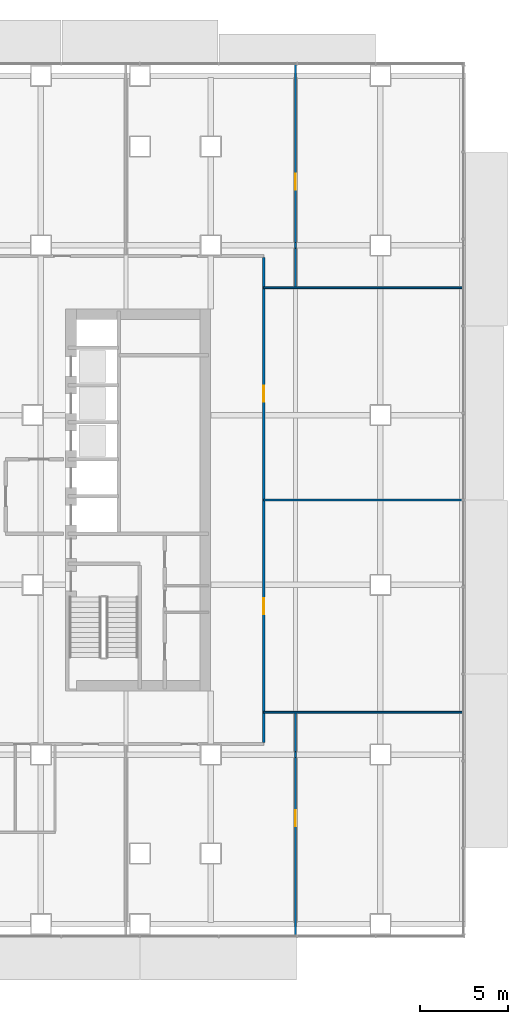
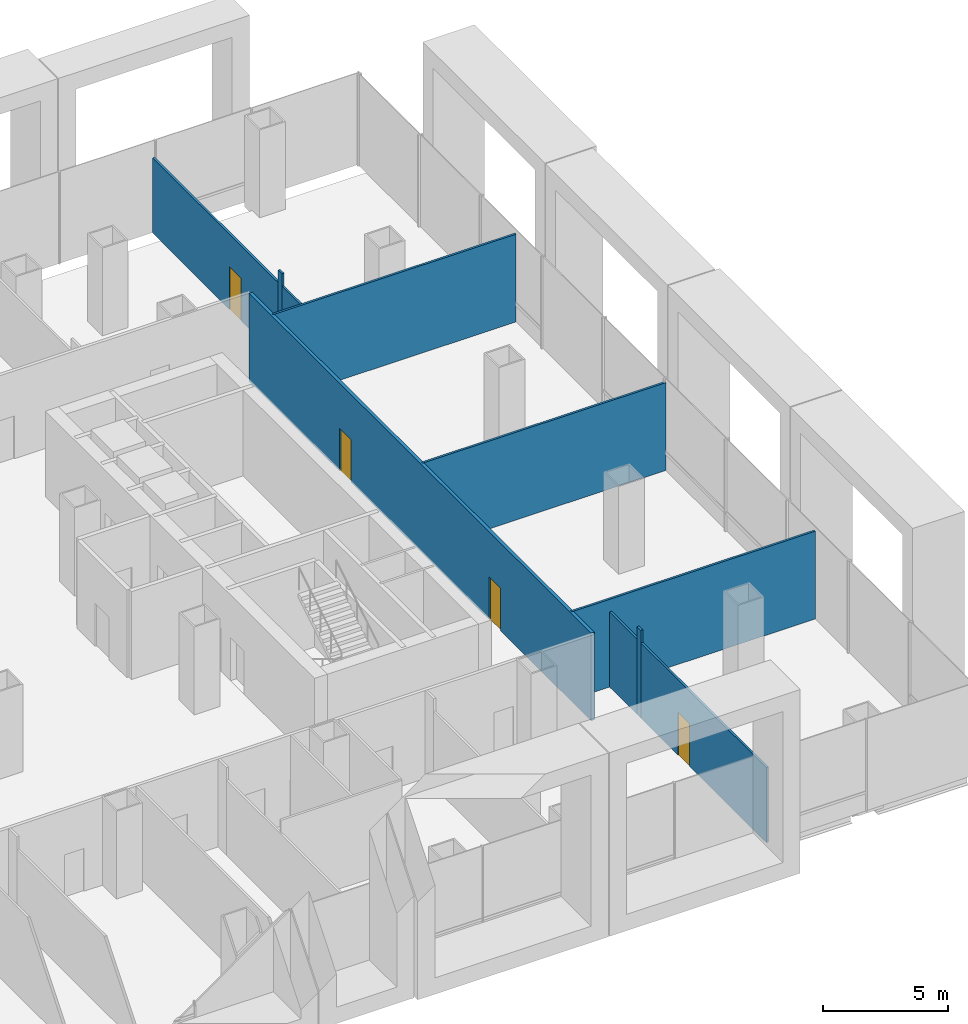
# One storey, part 18 of 23: 10 walls, 4 doors, 4 openings.
"""IFC4 building model written with IfcOpenShell, lengths in metres."""

from ifc_helpers import new_model, si_unit, direction, frame, frame_2d, origin, place, context, subcontext, project, spatial, rectangle, extrude, material, layer, layer_set, type_object, element, fill, save


model = new_model("IFC4")

# Units and contexts
model_context = context("Model", 3, precision=1e-05, world=origin(), true_north=direction((0.0, 1.0)))
body_context = subcontext(model_context, "Body", "Model", "MODEL_VIEW")
ifc_project = project(units=[si_unit("LENGTHUNIT", "METRE"), si_unit("AREAUNIT", "SQUARE_METRE"), si_unit("VOLUMEUNIT", "CUBIC_METRE"), si_unit("PLANEANGLEUNIT", "RADIAN"), si_unit("MASSUNIT", "GRAM", prefix="KILO")], contexts=[model_context])

# Site, building, storey
site_placement = place(None, origin())
site = spatial("IfcSite", under=ifc_project, at=site_placement, CompositionType="ELEMENT")
building_placement = place(site_placement, origin())
building = spatial("IfcBuilding", under=site, at=building_placement, Name="Cobrizo Arcos Hotel Tower", CompositionType="ELEMENT")
storey_placement = place(building_placement, frame((0.0, 0.0, 24.5)))
storey = spatial("IfcBuildingStorey", under=building, at=storey_placement, Name="L04", CompositionType="ELEMENT", Elevation=24.5)

# Wall, openings, doors
ifc_material_1 = material(Name="Gypsum board partition")
ifc_layer_1 = layer(ifc_material_1, 0.14990234375)
ifc_layer_set_1 = layer_set([ifc_layer_1], Name="Corridor wall EI 60 150")
wall_type_1 = type_object("IfcWallType", Name="Corridor wall EI 60 150", PredefinedType="PARTITIONING", material=ifc_layer_set_1)
wall_1_placement = place(storey_placement, frame((27.0, -13.72509765625, 0.0), z_axis=(0.0, 0.0, 1.0), x_axis=(0.0, 1.0, 0.0)))
wall_1 = element("IfcWall", 1, at=wall_1_placement, inside=storey, type_object=wall_type_1, Name="Partition 072", PredefinedType="PARTITIONING", context=body_context, shape_type="SweptSolid", body=[
    extrude(rectangle(XDim=27.4501953125, YDim=0.14990234375, at=frame_2d((13.72509765625, 0.0))), origin(), (0.0, 0.0, 1.0), 4.300048828125),
])
opening_1_placement = place(wall_1_placement, frame((7.27490234375, 0.0, 0.0)))
opening_1 = element("IfcOpeningElement", 2, at=opening_1_placement, cuts=wall_1, Name="Opening RD-19", PredefinedType="OPENING", context=body_context, shape_type="SweptSolid", body=[
    extrude(rectangle(XDim=0.89990234375, YDim=2.10009765625, at=frame_2d((0.449951171875, 1.050048828125))), frame((0.0, 0.0869140625, 0.0), z_axis=(0.0, -1.0, 0.0), x_axis=(1.0, 0.0, 0.0)), (0.0, 0.0, 1.0), 0.173828125),
])
opening_2_placement = place(wall_1_placement, frame((19.27490234375, 0.0, 0.0)))
opening_2 = element("IfcOpeningElement", 3, at=opening_2_placement, cuts=wall_1, Name="Opening RD-20", PredefinedType="OPENING", context=body_context, shape_type="SweptSolid", body=[
    extrude(rectangle(XDim=0.89990234375, YDim=2.10009765625, at=frame_2d((0.449951171875, 1.050048828125))), frame((0.0, 0.0869140625, 0.0), z_axis=(0.0, -1.0, 0.0), x_axis=(1.0, 0.0, 0.0)), (0.0, 0.0, 1.0), 0.173828125),
])
ifc_material_2 = material(Name="Timber door leaf", Category="wood")
door_type = type_object("IfcDoorType", Name="Room door FD30 900x2100", OperationType="SINGLE_SWING_LEFT", PredefinedType="DOOR", material=ifc_material_2)
door_1_placement = place(opening_1_placement, origin())
door_1 = element("IfcDoor", 4, at=door_1_placement, inside=storey, type_object=door_type, Name="Door RD-19", OperationType="SINGLE_SWING_LEFT", OverallHeight=2.10009765625, OverallWidth=0.89990234375, PredefinedType="DOOR", context=body_context, shape_type="SweptSolid", body=[
    extrude(rectangle(XDim=0.89990234375, YDim=2.10009765625, at=frame_2d((0.449951171875, 1.050048828125))), frame((0.0, 0.02490234375, 0.0), z_axis=(0.0, -1.0, 0.0), x_axis=(1.0, 0.0, 0.0)), (0.0, 0.0, 1.0), 0.050048828125),
])
fill(opening_1, door_1)
door_2_placement = place(opening_2_placement, origin())
door_2 = element("IfcDoor", 5, at=door_2_placement, inside=storey, type_object=door_type, Name="Door RD-20", OperationType="SINGLE_SWING_RIGHT", OverallHeight=2.10009765625, OverallWidth=0.89990234375, PredefinedType="DOOR", context=body_context, shape_type="SweptSolid", body=[
    extrude(rectangle(XDim=0.89990234375, YDim=2.10009765625, at=frame_2d((0.449951171875, 1.050048828125))), frame((0.0, 0.02490234375, 0.0), z_axis=(0.0, -1.0, 0.0), x_axis=(1.0, 0.0, 0.0)), (0.0, 0.0, 1.0), 0.050048828125),
])
fill(opening_2, door_2)

# Walls
ifc_layer_2 = layer(ifc_material_1, 0.10009765625)
ifc_layer_set_2 = layer_set([ifc_layer_2], Name="Partition EI 30 100")
wall_type_2 = type_object("IfcWallType", Name="Partition EI 30 100", PredefinedType="PARTITIONING", material=ifc_layer_set_2)
for number, where, z_axis, x_axis, name in (
    (6, (27.0, -12.0, 0.0), (0.0, 0.0, 1.0), (1.0, 0.0, 0.0), "Partition 004"),
    (7, (27.0, 0.0, 0.0), (0.0, 0.0, 1.0), (1.0, 0.0, 0.0), "Partition 016"),
    (8, (27.0, 12.0, 0.0), (0.0, 0.0, 1.0), (1.0, 0.0, 0.0), "Partition 032"),
):
    element("IfcWall", number, at=place(storey_placement, frame(where, z_axis=z_axis, x_axis=x_axis)), inside=storey, type_object=wall_type_2, Name=name, PredefinedType="PARTITIONING", context=body_context, shape_type="SweptSolid", body=[
        extrude(rectangle(XDim=11.280029296875, YDim=0.10009765625, at=frame_2d((5.64013671875, 0.0))), origin(), (0.0, 0.0, 1.0), 4.300048828125),
    ])

# Wall, opening, door
wall_2_placement = place(storey_placement, frame((28.800048828125, -24.6298828125, 0.0), z_axis=(0.0, 0.0, 1.0), x_axis=(0.0, 1.0, 0.0)))
wall_2 = element("IfcWall", 9, at=wall_2_placement, inside=storey, type_object=wall_type_2, Name="Partition 073", PredefinedType="PARTITIONING", context=body_context, shape_type="SweptSolid", body=[
    extrude(rectangle(XDim=10.076171875, YDim=0.10009765625, at=frame_2d((5.0380859375, 0.0))), origin(), (0.0, 0.0, 1.0), 3.68310546875),
])
opening_3_placement = place(wall_2_placement, frame((6.179931640625, 0.0, 0.0)))
opening_3 = element("IfcOpeningElement", 10, at=opening_3_placement, cuts=wall_2, Name="Opening RD-27", PredefinedType="OPENING", context=body_context, shape_type="SweptSolid", body=[
    extrude(rectangle(XDim=0.89990234375, YDim=2.10009765625, at=frame_2d((0.449951171875, 1.050048828125))), frame((0.0, 0.06201171875, 0.0), z_axis=(0.0, -1.0, 0.0), x_axis=(1.0, 0.0, 0.0)), (0.0, 0.0, 1.0), 0.1240234375),
])
door_3_placement = place(opening_3_placement, origin())
door_3 = element("IfcDoor", 11, at=door_3_placement, inside=storey, type_object=door_type, Name="Door RD-27", OperationType="SINGLE_SWING_RIGHT", OverallHeight=2.10009765625, OverallWidth=0.89990234375, PredefinedType="DOOR", context=body_context, shape_type="SweptSolid", body=[
    extrude(rectangle(XDim=0.89990234375, YDim=2.10009765625, at=frame_2d((0.449951171875, 1.050048828125))), frame((0.0, 0.02490234375, 0.0), z_axis=(0.0, -1.0, 0.0), x_axis=(1.0, 0.0, 0.0)), (0.0, 0.0, 1.0), 0.050048828125),
])
fill(opening_3, door_3)

# Walls
wall_3_placement = place(storey_placement, frame((28.800048828125, -14.553955078125, 0.0), z_axis=(0.0, 0.0, 1.0), x_axis=(0.0, 1.0, 0.0)))
element("IfcWall", 12, at=wall_3_placement, inside=storey, type_object=wall_type_2, Name="Partition 074", PredefinedType="PARTITIONING", context=body_context, shape_type="SweptSolid", body=[
    extrude(rectangle(XDim=0.307861328125, YDim=0.10009765625, at=frame_2d((0.15380859375, 0.0))), origin(), (0.0, 0.0, 1.0), 4.300048828125),
])
for number, where, z_axis, x_axis, name in (
    (13, (28.800048828125, -14.24609375, 0.0), (0.0, 0.0, 1.0), (0.0, 1.0, 0.0), "Partition 075"),
    (14, (28.800048828125, 12.050048828125, 0.0), (0.0, 0.0, 1.0), (0.0, 1.0, 0.0), "Partition 076"),
):
    element("IfcWall", number, at=place(storey_placement, frame(where, z_axis=z_axis, x_axis=x_axis)), inside=storey, type_object=wall_type_2, Name=name, PredefinedType="PARTITIONING", context=body_context, shape_type="SweptSolid", body=[
        extrude(rectangle(XDim=2.196044921875, YDim=0.10009765625, at=frame_2d((1.09814453125, 0.0))), origin(), (0.0, 0.0, 1.0), 3.68310546875),
    ])
wall_4_placement = place(storey_placement, frame((28.800048828125, 14.24609375, 0.0), z_axis=(0.0, 0.0, 1.0), x_axis=(0.0, 1.0, 0.0)))
element("IfcWall", 15, at=wall_4_placement, inside=storey, type_object=wall_type_2, Name="Partition 077", PredefinedType="PARTITIONING", context=body_context, shape_type="SweptSolid", body=[
    extrude(rectangle(XDim=0.307861328125, YDim=0.10009765625, at=frame_2d((0.15380859375, 0.0))), origin(), (0.0, 0.0, 1.0), 4.300048828125),
])

# Wall, opening, door
wall_5_placement = place(storey_placement, frame((28.800048828125, 14.5537109375, 0.0), z_axis=(0.0, 0.0, 1.0), x_axis=(0.0, 1.0, 0.0)))
wall_5 = element("IfcWall", 16, at=wall_5_placement, inside=storey, type_object=wall_type_2, Name="Partition 078", PredefinedType="PARTITIONING", context=body_context, shape_type="SweptSolid", body=[
    extrude(rectangle(XDim=10.076171875, YDim=0.10009765625, at=frame_2d((5.0380859375, 0.0))), origin(), (0.0, 0.0, 1.0), 3.68310546875),
])
opening_4_placement = place(wall_5_placement, frame((2.99609375, 0.0, 0.0)))
opening_4 = element("IfcOpeningElement", 17, at=opening_4_placement, cuts=wall_5, Name="Opening RD-28", PredefinedType="OPENING", context=body_context, shape_type="SweptSolid", body=[
    extrude(rectangle(XDim=0.89990234375, YDim=2.10009765625, at=frame_2d((0.449951171875, 1.050048828125))), frame((0.0, 0.06201171875, 0.0), z_axis=(0.0, -1.0, 0.0), x_axis=(1.0, 0.0, 0.0)), (0.0, 0.0, 1.0), 0.1240234375),
])
door_4_placement = place(opening_4_placement, origin())
door_4 = element("IfcDoor", 18, at=door_4_placement, inside=storey, type_object=door_type, Name="Door RD-28", OperationType="SINGLE_SWING_RIGHT", OverallHeight=2.10009765625, OverallWidth=0.89990234375, PredefinedType="DOOR", context=body_context, shape_type="SweptSolid", body=[
    extrude(rectangle(XDim=0.89990234375, YDim=2.10009765625, at=frame_2d((0.449951171875, 1.050048828125))), frame((0.0, 0.02490234375, 0.0), z_axis=(0.0, -1.0, 0.0), x_axis=(1.0, 0.0, 0.0)), (0.0, 0.0, 1.0), 0.050048828125),
])
fill(opening_4, door_4)

save(model, "model.ifc")
